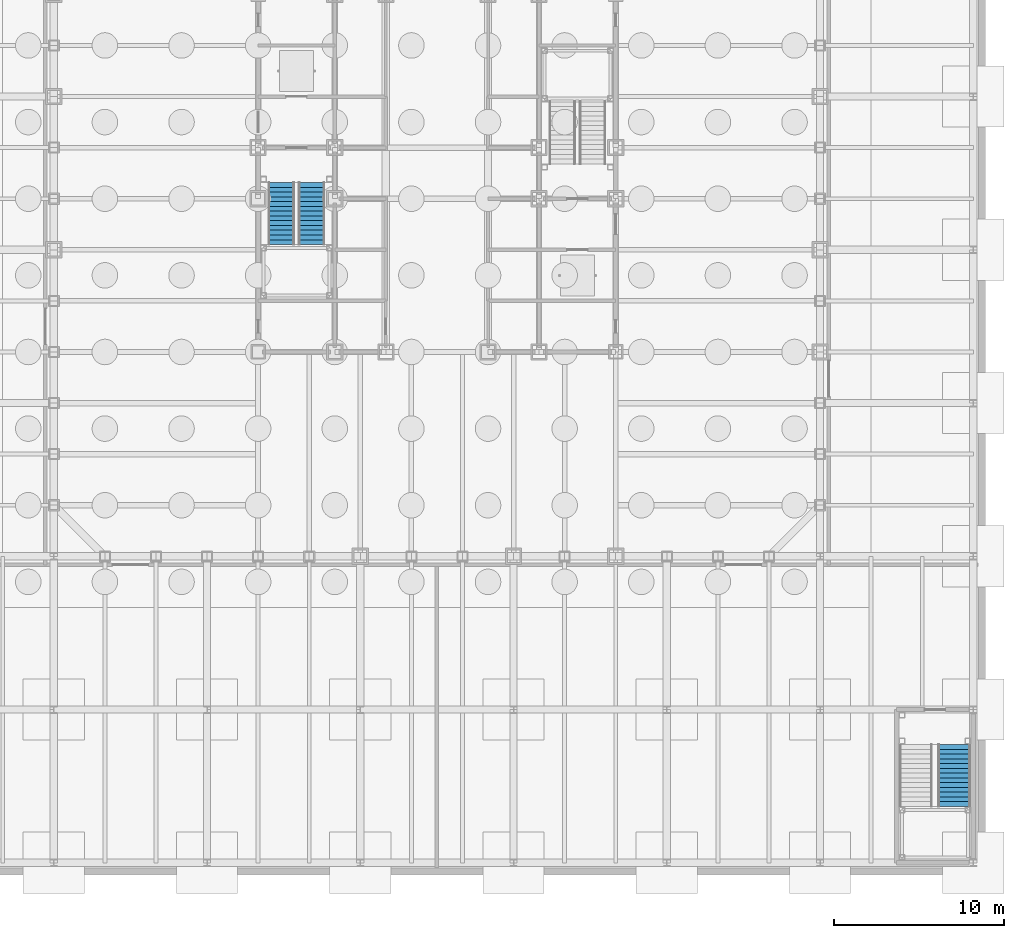
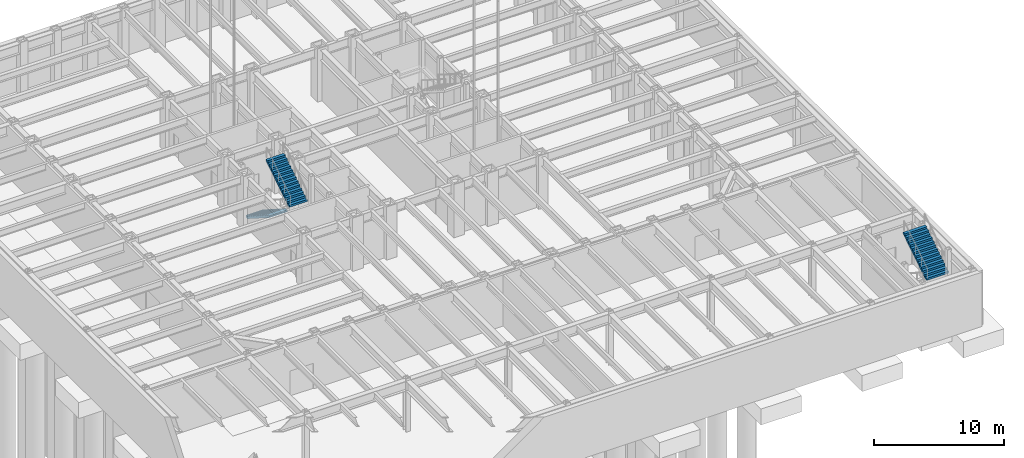
# One storey, part 10 of 18: 3 stair flights, 2 elements without a shape of their own.
"""IFC4 building model written with IfcOpenShell, lengths in metres."""

import ifcopenshell
import ifcopenshell.guid

model = None  # the IFC model being written
_history = None  # IfcOwnerHistory: only IFC2X3 demands one
_inside = {}  # id of a spatial element -> (the spatial element, [elements in it])
_under = {}  # id of a project, library or spatial element -> (it, [spatial elements below it])
_declared = {}  # id of a project -> (the project, [libraries it declares])
_typed = {}  # id of a type object -> (the type object, [elements of that type])
_made_of = {}  # id of a material, layer set ... -> (it, [elements and type objects made of it])


def new_model(schema):
    """Start an empty IFC model of exactly this schema.

    Asked for "IFC4X3", IfcOpenShell would pick the latest addendum, in which some entities
    have other attributes; the version numbers below select the first issue.
    IFC2X3 requires an IfcOwnerHistory on every rooted entity: one is made here for all.
    """
    global model, _history
    if schema == "IFC4X3":
        model = ifcopenshell.file(schema_version=(4, 3, 0, 0))
    else:
        model = ifcopenshell.file(schema=schema)
    _inside.clear()
    _under.clear()
    _declared.clear()
    _typed.clear()
    _made_of.clear()
    _history = None
    if model.schema == "IFC2X3":
        org = make("IfcOrganization", Name="unknown")
        user = make(
            "IfcPersonAndOrganization",
            ThePerson=make("IfcPerson", FamilyName="unknown"),
            TheOrganization=org,
        )
        app = make(
            "IfcApplication",
            ApplicationDeveloper=org,
            Version="unknown",
            ApplicationFullName="unknown",
            ApplicationIdentifier="unknown",
        )
        _history = make(
            "IfcOwnerHistory",
            OwningUser=user,
            OwningApplication=app,
            ChangeAction="ADDED",
            CreationDate=0,
        )
    return model


def make(cls, **values):
    """One entity of the class cls with the attributes given. An attribute that is None is left unset."""
    return model.create_entity(
        cls, **{name: value for name, value in values.items() if value is not None}
    )


def rooted(cls, **values):
    """An entity with a GlobalId (a new one), such as an element, a storey or a relation."""
    return make(cls, GlobalId=ifcopenshell.guid.new(), OwnerHistory=_history, **values)


def si_unit(unit_type, name, prefix=None):
    """IfcSIUnit, for example si_unit("LENGTHUNIT", "METRE", prefix="MILLI")."""
    return make("IfcSIUnit", UnitType=unit_type, Prefix=prefix, Name=name)


def assignment(units):
    """IfcUnitAssignment: the units of a project."""
    return None if units is None else make("IfcUnitAssignment", Units=units)


def point(xyz):
    """IfcCartesianPoint."""
    return None if xyz is None else make("IfcCartesianPoint", Coordinates=xyz)


def direction(xyz):
    """IfcDirection."""
    return None if xyz is None else make("IfcDirection", DirectionRatios=xyz)


def frame(location, z_axis=None, x_axis=None):
    """IfcAxis2Placement3D, a coordinate frame: its origin and axes. An axis left out is left unset."""
    return make(
        "IfcAxis2Placement3D",
        Location=point(location),
        Axis=direction(z_axis),
        RefDirection=direction(x_axis),
    )


def origin():
    """The frame at (0, 0, 0) with its axes left unset."""
    return frame((0.0, 0.0, 0.0))


def place(relative_to, where):
    """IfcLocalPlacement: puts the frame where relative to a parent placement (None: the world)."""
    return make(
        "IfcLocalPlacement", PlacementRelTo=relative_to, RelativePlacement=where
    )


def context(
    kind, dimensions, precision=None, world=None, true_north=None, identifier=None
):
    """IfcGeometricRepresentationContext, for example the 3D "Model" context."""
    return make(
        "IfcGeometricRepresentationContext",
        ContextIdentifier=identifier,
        ContextType=kind,
        CoordinateSpaceDimension=dimensions,
        Precision=precision,
        WorldCoordinateSystem=world,
        TrueNorth=true_north,
    )


def subcontext(parent, identifier, kind, view, scale=None):
    """IfcGeometricRepresentationSubContext, for example "Body" below "Model"."""
    return make(
        "IfcGeometricRepresentationSubContext",
        ContextIdentifier=identifier,
        ContextType=kind,
        ParentContext=parent,
        TargetScale=scale,
        TargetView=view,
    )


def project(units=None, contexts=None):
    """IfcProject with its units and contexts."""
    return rooted(
        "IfcProject",
        Name="project",
        RepresentationContexts=contexts,
        UnitsInContext=assignment(units),
    )


def spatial(cls, under=None, at=None, **own):
    """A site, building, storey or space (cls), placed at a placement, below another one or the project."""
    s = rooted(cls, ObjectPlacement=at, **own)
    if under is not None:
        _under.setdefault(under.id(), (under, []))[1].append(s)
    return s


def faces_of(points, faces, orient=None, outer=None):
    """IfcFace entities. A face is a list of loops; a loop is a list of indices into points, from 0.

    orient and outer hold one flag for each loop. By default every Orientation is true, the
    first loop of a face is its IfcFaceOuterBound and the others are IfcFaceBound.
    """
    made = []
    for i, loops in enumerate(faces):
        bounds = []
        for j, loop in enumerate(loops):
            is_outer = j == 0 if outer is None else outer[i][j]
            bounds.append(
                make(
                    "IfcFaceOuterBound" if is_outer else "IfcFaceBound",
                    Bound=make("IfcPolyLoop", Polygon=[points[k] for k in loop]),
                    Orientation=True if orient is None else orient[i][j],
                )
            )
        made.append(make("IfcFace", Bounds=bounds))
    return made


def faceted_brep(points, faces, orient=None, outer=None, voids=None):
    """IfcFacetedBrep: a solid bounded by flat faces; with voids (closed shells), ...WithVoids."""
    shared = [point(p) for p in points]
    hull = make("IfcClosedShell", CfsFaces=faces_of(shared, faces, orient, outer))
    if voids is None:
        return make("IfcFacetedBrep", Outer=hull)
    return make(
        "IfcFacetedBrepWithVoids",
        Outer=hull,
        Voids=[
            make(cls, CfsFaces=faces_of(shared, fs, o, b)) for cls, fs, o, b in voids
        ],
    )


def shape(context_of_items, identifier, shape_type, items):
    """IfcShapeRepresentation: the items that make up one representation, for example the "Body"."""
    return make(
        "IfcShapeRepresentation",
        ContextOfItems=context_of_items,
        RepresentationIdentifier=identifier,
        RepresentationType=shape_type,
        Items=items,
    )


def material(Name=None, Category=None):
    """IfcMaterial."""
    return make("IfcMaterial", Name=Name, Category=Category)


def made_of(thing, what):
    """Note that an element or type object is made of a material, layer set ...; save() writes the relation."""
    if what is not None:
        _made_of.setdefault(what.id(), (what, []))[1].append(thing)
    return thing


def type_object(cls, material=None, **own):
    """A type object (cls), such as IfcWallType, which elements share."""
    return made_of(rooted(cls, **own), material)


def element(
    cls,
    number,
    at=None,
    inside=None,
    cuts=None,
    type_object=None,
    material=None,
    context=None,
    identifier="Body",
    shape_type=None,
    held_by="IfcProductDefinitionShape",
    body=None,
    shapes=None,
    **own,
):
    """One element of the class cls, such as IfcWall. Its Tag is "e" and its number.

    at: its placement. inside: the storey or other place that contains it. cuts: it is an
    opening in that element (IfcRelVoidsElement). A single representation is given by context,
    identifier, shape_type and body (its items); several are given by shapes. held_by: the class
    of the entity that holds the representations. save() writes the other relations.
    """
    e = rooted(cls, Tag="e%d" % number, ObjectPlacement=at, **own)
    if body is not None:
        shapes = [shape(context, identifier, shape_type, body)]
    if shapes is not None:
        e.Representation = make(held_by, Representations=shapes)
    if inside is not None:
        _inside.setdefault(inside.id(), (inside, []))[1].append(e)
    if cuts is not None:
        rooted(
            "IfcRelVoidsElement", RelatingBuildingElement=cuts, RelatedOpeningElement=e
        )
    if type_object is not None:
        _typed.setdefault(type_object.id(), (type_object, []))[1].append(e)
    return made_of(e, material)


def aggregate(whole, parts):
    """IfcRelAggregates: a whole, such as a stair, and the parts it consists of."""
    return rooted("IfcRelAggregates", RelatingObject=whole, RelatedObjects=parts)


def save(model, path):
    """Write the relations noted so far, then the file.

    IfcRelAggregates (storeys below a building ...), IfcRelContainedInSpatialStructure (elements
    in a storey), IfcRelDefinesByType, IfcRelAssociatesMaterial and IfcRelDeclares: one each for
    every whole, place, type object, material and project.
    """
    for whole, parts in _under.values():
        aggregate(whole, parts)
    for where, things in _inside.values():
        rooted(
            "IfcRelContainedInSpatialStructure",
            RelatedElements=things,
            RelatingStructure=where,
        )
    for kind, things in _typed.values():
        rooted("IfcRelDefinesByType", RelatedObjects=things, RelatingType=kind)
    for what, things in _made_of.values():
        rooted("IfcRelAssociatesMaterial", RelatedObjects=things, RelatingMaterial=what)
    for by, libraries in _declared.values():
        rooted("IfcRelDeclares", RelatingContext=by, RelatedDefinitions=libraries)
    model.write(path)


model = new_model("IFC4")

# Units and contexts
model_context = context("Model", 3, precision=1e-05, world=origin(), true_north=direction((0.0, 1.0)))
body_context = subcontext(model_context, "Body", "Model", "MODEL_VIEW")
ifc_project = project(units=[si_unit("LENGTHUNIT", "METRE"), si_unit("AREAUNIT", "SQUARE_METRE"), si_unit("VOLUMEUNIT", "CUBIC_METRE"), si_unit("PLANEANGLEUNIT", "RADIAN"), si_unit("MASSUNIT", "GRAM", prefix="KILO")], contexts=[model_context])

# Site, building, storey
site_placement = place(None, origin())
site = spatial("IfcSite", under=ifc_project, at=site_placement, CompositionType="ELEMENT")
building_placement = place(site_placement, origin())
building = spatial("IfcBuilding", under=site, at=building_placement, Name="Chuquiago Exchange Tower", CompositionType="ELEMENT")
storey_placement = place(building_placement, frame((0.0, 0.0, -5.0)))
storey = spatial("IfcBuildingStorey", under=building, at=storey_placement, Name="B1", CompositionType="ELEMENT", Elevation=-5.0)

# Stair, stair flights
ifc_material_1 = material(Name="Concrete C30/37, precast", Category="concrete")
stair_type_1 = type_object("IfcStairType", Name="ST1 half-turn stair 5000", PredefinedType="HALF_TURN_STAIR", material=ifc_material_1)
stair_1_placement = place(storey_placement, origin())
stair_1 = element("IfcStair", 1, at=stair_1_placement, inside=storey, type_object=stair_type_1, Name="Stair ST1 B1", PredefinedType="HALF_TURN_STAIR")
ifc_material_2 = material(Name="Concrete C30/37, precast", Category="concrete")
stair_flight_type_1 = type_object("IfcStairFlightType", Name="ST-F flight 1570 for 5000 storey", PredefinedType="STRAIGHT", material=ifc_material_2)
stair_flight_1_placement = place(storey_placement, frame((13.360107421875, 21.949951171875, 0.0), z_axis=(0.0, 0.0, 1.0), x_axis=(0.0, -1.0, 0.0)))
stair_flight_1 = element("IfcStairFlight", 2, at=stair_flight_1_placement, type_object=stair_flight_type_1, Name="ST1 flight 1", NumberOfRisers=14, NumberOfTreads=13, PredefinedType="STRAIGHT", RiserHeight=0.178571429, TreadLength=0.28, context=body_context, shape_type="Brep", body=[
    faceted_brep([(0.0, 0.78515625, 0.0), (0.0, 0.78515625, 0.178466796875), (0.280029296875, 0.78515625, 0.178466796875), (0.280029296875, 0.78515625, 0.357177734375), (0.56005859375, 0.78515625, 0.357177734375), (0.56005859375, 0.78515625, 0.53564453125), (0.840087890625, 0.78515625, 0.53564453125), (0.840087890625, 0.78515625, 0.71435546875), (1.1201171875, 0.78515625, 0.71435546875), (1.1201171875, 0.78515625, 0.892822265625), (1.39990234375, 0.78515625, 0.892822265625), (1.39990234375, 0.78515625, 1.071533203125), (1.679931640625, 0.78515625, 1.071533203125), (1.679931640625, 0.78515625, 1.25), (1.9599609375, 0.78515625, 1.25), (1.9599609375, 0.78515625, 1.428466796875), (2.239990234375, 0.78515625, 1.428466796875), (2.239990234375, 0.78515625, 1.607177734375), (2.52001953125, 0.78515625, 1.607177734375), (2.52001953125, 0.78515625, 1.78564453125), (2.800048828125, 0.78515625, 1.78564453125), (2.800048828125, 0.78515625, 1.96435546875), (3.080078125, 0.78515625, 1.96435546875), (3.080078125, 0.78515625, 2.142822265625), (3.360107421875, 0.78515625, 2.142822265625), (3.360107421875, 0.78515625, 2.321533203125), (3.639892578125, 0.78515625, 2.321533203125), (3.639892578125, 0.78515625, 2.1435546875), (0.27880859375, 0.78515625, 0.0), (0.27880859375, -0.78515625, 0.0), (3.639892578125, -0.78515625, 2.1435546875), (3.639892578125, -0.78515625, 2.321533203125), (3.360107421875, -0.78515625, 2.321533203125), (3.360107421875, -0.78515625, 2.142822265625), (3.080078125, -0.78515625, 2.142822265625), (3.080078125, -0.78515625, 1.96435546875), (2.800048828125, -0.78515625, 1.96435546875), (2.800048828125, -0.78515625, 1.78564453125), (2.52001953125, -0.78515625, 1.78564453125), (2.52001953125, -0.78515625, 1.607177734375), (2.239990234375, -0.78515625, 1.607177734375), (2.239990234375, -0.78515625, 1.428466796875), (1.9599609375, -0.78515625, 1.428466796875), (1.9599609375, -0.78515625, 1.25), (1.679931640625, -0.78515625, 1.25), (1.679931640625, -0.78515625, 1.071533203125), (1.39990234375, -0.78515625, 1.071533203125), (1.39990234375, -0.78515625, 0.892822265625), (1.1201171875, -0.78515625, 0.892822265625), (1.1201171875, -0.78515625, 0.71435546875), (0.840087890625, -0.78515625, 0.71435546875), (0.840087890625, -0.78515625, 0.53564453125), (0.56005859375, -0.78515625, 0.53564453125), (0.56005859375, -0.78515625, 0.357177734375), (0.280029296875, -0.78515625, 0.357177734375), (0.280029296875, -0.78515625, 0.178466796875), (0.0, -0.78515625, 0.178466796875), (0.0, -0.78515625, 0.0), (0.0, 0.392578125, 0.0), (0.0, 0.392578125, 0.178466796875), (0.0, 0.0, 0.0), (0.0, 0.0, 0.178466796875), (0.0, -0.392578125, 0.0), (0.0, -0.392578125, 0.178466796875), (0.280029296875, 0.392578125, 0.178466796875), (0.280029296875, 0.0, 0.178466796875), (0.280029296875, -0.392578125, 0.178466796875), (0.280029296875, 0.392578125, 0.357177734375), (0.280029296875, 0.0, 0.357177734375), (0.280029296875, -0.392578125, 0.357177734375), (0.56005859375, 0.392578125, 0.357177734375), (0.56005859375, 0.0, 0.357177734375), (0.56005859375, -0.392578125, 0.357177734375), (0.56005859375, 0.392578125, 0.53564453125), (0.56005859375, 0.0, 0.53564453125), (0.56005859375, -0.392578125, 0.53564453125), (0.840087890625, 0.392578125, 0.53564453125), (0.840087890625, 0.0, 0.53564453125), (0.840087890625, -0.392578125, 0.53564453125), (0.840087890625, 0.392578125, 0.71435546875), (0.840087890625, 0.0, 0.71435546875), (0.840087890625, -0.392578125, 0.71435546875), (1.1201171875, 0.392578125, 0.71435546875), (1.1201171875, 0.0, 0.71435546875), (1.1201171875, -0.392578125, 0.71435546875), (1.1201171875, 0.392578125, 0.892822265625), (1.1201171875, 0.0, 0.892822265625), (1.1201171875, -0.392578125, 0.892822265625), (1.39990234375, 0.392578125, 0.892822265625), (1.39990234375, 0.0, 0.892822265625), (1.39990234375, -0.392578125, 0.892822265625), (1.39990234375, 0.392578125, 1.071533203125), (1.39990234375, 0.0, 1.071533203125), (1.39990234375, -0.392578125, 1.071533203125), (1.679931640625, 0.392578125, 1.071533203125), (1.679931640625, 0.0, 1.071533203125), (1.679931640625, -0.392578125, 1.071533203125), (1.679931640625, 0.392578125, 1.25), (1.679931640625, 0.0, 1.25), (1.679931640625, -0.392578125, 1.25), (1.9599609375, 0.392578125, 1.25), (1.9599609375, 0.0, 1.25), (1.9599609375, -0.392578125, 1.25), (1.9599609375, 0.392578125, 1.428466796875), (1.9599609375, 0.0, 1.428466796875), (1.9599609375, -0.392578125, 1.428466796875), (2.239990234375, 0.392578125, 1.428466796875), (2.239990234375, 0.0, 1.428466796875), (2.239990234375, -0.392578125, 1.428466796875), (2.239990234375, 0.392578125, 1.607177734375), (2.239990234375, 0.0, 1.607177734375), (2.239990234375, -0.392578125, 1.607177734375), (2.52001953125, 0.392578125, 1.607177734375), (2.52001953125, 0.0, 1.607177734375), (2.52001953125, -0.392578125, 1.607177734375), (2.52001953125, 0.392578125, 1.78564453125), (2.52001953125, 0.0, 1.78564453125), (2.52001953125, -0.392578125, 1.78564453125), (2.800048828125, 0.392578125, 1.78564453125), (2.800048828125, 0.0, 1.78564453125), (2.800048828125, -0.392578125, 1.78564453125), (2.800048828125, 0.392578125, 1.96435546875), (2.800048828125, 0.0, 1.96435546875), (2.800048828125, -0.392578125, 1.96435546875), (3.080078125, 0.392578125, 1.96435546875), (3.080078125, 0.0, 1.96435546875), (3.080078125, -0.392578125, 1.96435546875), (3.080078125, 0.392578125, 2.142822265625), (3.080078125, 0.0, 2.142822265625), (3.080078125, -0.392578125, 2.142822265625), (3.360107421875, 0.392578125, 2.142822265625), (3.360107421875, 0.0, 2.142822265625), (3.360107421875, -0.392578125, 2.142822265625), (3.360107421875, 0.392578125, 2.321533203125), (3.360107421875, 0.0, 2.321533203125), (3.360107421875, -0.392578125, 2.321533203125), (3.639892578125, 0.392578125, 2.321533203125), (3.639892578125, 0.0, 2.321533203125), (3.639892578125, -0.392578125, 2.321533203125), (3.639892578125, 0.392578125, 2.1435546875), (3.639892578125, 0.0, 2.1435546875), (3.639892578125, -0.392578125, 2.1435546875), (0.27880859375, 0.392578125, 0.0), (0.27880859375, 0.0, 0.0), (0.27880859375, -0.392578125, 0.0)], [[[0, 1, 2, 3, 4, 5, 6, 7, 8, 9, 10, 11, 12, 13, 14, 15, 16, 17, 18, 19, 20, 21, 22, 23, 24, 25, 26, 27, 28]], [[29, 30, 31, 32, 33, 34, 35, 36, 37, 38, 39, 40, 41, 42, 43, 44, 45, 46, 47, 48, 49, 50, 51, 52, 53, 54, 55, 56, 57]], [[1, 0, 58, 59]], [[59, 58, 60, 61]], [[61, 60, 62, 63]], [[63, 62, 57, 56]], [[2, 1, 59, 64]], [[64, 59, 61, 65]], [[65, 61, 63, 66]], [[66, 63, 56, 55]], [[3, 2, 64, 67]], [[67, 64, 65, 68]], [[68, 65, 66, 69]], [[69, 66, 55, 54]], [[4, 3, 67, 70]], [[70, 67, 68, 71]], [[71, 68, 69, 72]], [[72, 69, 54, 53]], [[5, 4, 70, 73]], [[73, 70, 71, 74]], [[74, 71, 72, 75]], [[75, 72, 53, 52]], [[6, 5, 73, 76]], [[76, 73, 74, 77]], [[77, 74, 75, 78]], [[78, 75, 52, 51]], [[7, 6, 76, 79]], [[79, 76, 77, 80]], [[80, 77, 78, 81]], [[81, 78, 51, 50]], [[8, 7, 79, 82]], [[82, 79, 80, 83]], [[83, 80, 81, 84]], [[84, 81, 50, 49]], [[9, 8, 82, 85]], [[85, 82, 83, 86]], [[86, 83, 84, 87]], [[87, 84, 49, 48]], [[10, 9, 85, 88]], [[88, 85, 86, 89]], [[89, 86, 87, 90]], [[90, 87, 48, 47]], [[11, 10, 88, 91]], [[91, 88, 89, 92]], [[92, 89, 90, 93]], [[93, 90, 47, 46]], [[12, 11, 91, 94]], [[94, 91, 92, 95]], [[95, 92, 93, 96]], [[96, 93, 46, 45]], [[13, 12, 94, 97]], [[97, 94, 95, 98]], [[98, 95, 96, 99]], [[99, 96, 45, 44]], [[14, 13, 97, 100]], [[100, 97, 98, 101]], [[101, 98, 99, 102]], [[102, 99, 44, 43]], [[15, 14, 100, 103]], [[103, 100, 101, 104]], [[104, 101, 102, 105]], [[105, 102, 43, 42]], [[16, 15, 103, 106]], [[106, 103, 104, 107]], [[107, 104, 105, 108]], [[108, 105, 42, 41]], [[17, 16, 106, 109]], [[109, 106, 107, 110]], [[110, 107, 108, 111]], [[111, 108, 41, 40]], [[18, 17, 109, 112]], [[112, 109, 110, 113]], [[113, 110, 111, 114]], [[114, 111, 40, 39]], [[19, 18, 112, 115]], [[115, 112, 113, 116]], [[116, 113, 114, 117]], [[117, 114, 39, 38]], [[20, 19, 115, 118]], [[118, 115, 116, 119]], [[119, 116, 117, 120]], [[120, 117, 38, 37]], [[21, 20, 118, 121]], [[121, 118, 119, 122]], [[122, 119, 120, 123]], [[123, 120, 37, 36]], [[22, 21, 121, 124]], [[124, 121, 122, 125]], [[125, 122, 123, 126]], [[126, 123, 36, 35]], [[23, 22, 124, 127]], [[127, 124, 125, 128]], [[128, 125, 126, 129]], [[129, 126, 35, 34]], [[24, 23, 127, 130]], [[130, 127, 128, 131]], [[131, 128, 129, 132]], [[132, 129, 34, 33]], [[25, 24, 130, 133]], [[133, 130, 131, 134]], [[134, 131, 132, 135]], [[135, 132, 33, 32]], [[26, 25, 133, 136]], [[136, 133, 134, 137]], [[137, 134, 135, 138]], [[138, 135, 32, 31]], [[27, 26, 136, 139]], [[139, 136, 137, 140]], [[140, 137, 138, 141]], [[141, 138, 31, 30]], [[28, 27, 139, 142]], [[142, 139, 140, 143]], [[143, 140, 141, 144]], [[144, 141, 30, 29]], [[0, 28, 142, 58]], [[58, 142, 143, 60]], [[60, 143, 144, 62]], [[62, 144, 29, 57]]]),
])
stair_flight_2_placement = place(storey_placement, frame((15.139892578125, 18.31005859375, 2.5), z_axis=(0.0, 0.0, 1.0), x_axis=(0.0, 1.0, 0.0)))
stair_flight_2 = element("IfcStairFlight", 3, at=stair_flight_2_placement, type_object=stair_flight_type_1, Name="ST1 flight 2", NumberOfRisers=14, NumberOfTreads=13, PredefinedType="STRAIGHT", RiserHeight=0.178571429, TreadLength=0.28, context=body_context, shape_type="Brep", body=[
    faceted_brep([(0.0, 0.78515625, 0.0), (0.0, 0.78515625, 0.178466796875), (0.280029296875, 0.78515625, 0.178466796875), (0.280029296875, 0.78515625, 0.357177734375), (0.56005859375, 0.78515625, 0.357177734375), (0.56005859375, 0.78515625, 0.53564453125), (0.840087890625, 0.78515625, 0.53564453125), (0.840087890625, 0.78515625, 0.71435546875), (1.1201171875, 0.78515625, 0.71435546875), (1.1201171875, 0.78515625, 0.892822265625), (1.39990234375, 0.78515625, 0.892822265625), (1.39990234375, 0.78515625, 1.071533203125), (1.679931640625, 0.78515625, 1.071533203125), (1.679931640625, 0.78515625, 1.25), (1.9599609375, 0.78515625, 1.25), (1.9599609375, 0.78515625, 1.428466796875), (2.239990234375, 0.78515625, 1.428466796875), (2.239990234375, 0.78515625, 1.607177734375), (2.52001953125, 0.78515625, 1.607177734375), (2.52001953125, 0.78515625, 1.78564453125), (2.800048828125, 0.78515625, 1.78564453125), (2.800048828125, 0.78515625, 1.96435546875), (3.080078125, 0.78515625, 1.96435546875), (3.080078125, 0.78515625, 2.142822265625), (3.360107421875, 0.78515625, 2.142822265625), (3.360107421875, 0.78515625, 2.321533203125), (3.639892578125, 0.78515625, 2.321533203125), (3.639892578125, 0.78515625, 2.1435546875), (0.27880859375, 0.78515625, 0.0), (0.27880859375, -0.78515625, 0.0), (3.639892578125, -0.78515625, 2.1435546875), (3.639892578125, -0.78515625, 2.321533203125), (3.360107421875, -0.78515625, 2.321533203125), (3.360107421875, -0.78515625, 2.142822265625), (3.080078125, -0.78515625, 2.142822265625), (3.080078125, -0.78515625, 1.96435546875), (2.800048828125, -0.78515625, 1.96435546875), (2.800048828125, -0.78515625, 1.78564453125), (2.52001953125, -0.78515625, 1.78564453125), (2.52001953125, -0.78515625, 1.607177734375), (2.239990234375, -0.78515625, 1.607177734375), (2.239990234375, -0.78515625, 1.428466796875), (1.9599609375, -0.78515625, 1.428466796875), (1.9599609375, -0.78515625, 1.25), (1.679931640625, -0.78515625, 1.25), (1.679931640625, -0.78515625, 1.071533203125), (1.39990234375, -0.78515625, 1.071533203125), (1.39990234375, -0.78515625, 0.892822265625), (1.1201171875, -0.78515625, 0.892822265625), (1.1201171875, -0.78515625, 0.71435546875), (0.840087890625, -0.78515625, 0.71435546875), (0.840087890625, -0.78515625, 0.53564453125), (0.56005859375, -0.78515625, 0.53564453125), (0.56005859375, -0.78515625, 0.357177734375), (0.280029296875, -0.78515625, 0.357177734375), (0.280029296875, -0.78515625, 0.178466796875), (0.0, -0.78515625, 0.178466796875), (0.0, -0.78515625, 0.0), (0.0, 0.392578125, 0.0), (0.0, 0.392578125, 0.178466796875), (0.0, 0.0, 0.0), (0.0, 0.0, 0.178466796875), (0.0, -0.392578125, 0.0), (0.0, -0.392578125, 0.178466796875), (0.280029296875, 0.392578125, 0.178466796875), (0.280029296875, 0.0, 0.178466796875), (0.280029296875, -0.392578125, 0.178466796875), (0.280029296875, 0.392578125, 0.357177734375), (0.280029296875, 0.0, 0.357177734375), (0.280029296875, -0.392578125, 0.357177734375), (0.56005859375, 0.392578125, 0.357177734375), (0.56005859375, 0.0, 0.357177734375), (0.56005859375, -0.392578125, 0.357177734375), (0.56005859375, 0.392578125, 0.53564453125), (0.56005859375, 0.0, 0.53564453125), (0.56005859375, -0.392578125, 0.53564453125), (0.840087890625, 0.392578125, 0.53564453125), (0.840087890625, 0.0, 0.53564453125), (0.840087890625, -0.392578125, 0.53564453125), (0.840087890625, 0.392578125, 0.71435546875), (0.840087890625, 0.0, 0.71435546875), (0.840087890625, -0.392578125, 0.71435546875), (1.1201171875, 0.392578125, 0.71435546875), (1.1201171875, 0.0, 0.71435546875), (1.1201171875, -0.392578125, 0.71435546875), (1.1201171875, 0.392578125, 0.892822265625), (1.1201171875, 0.0, 0.892822265625), (1.1201171875, -0.392578125, 0.892822265625), (1.39990234375, 0.392578125, 0.892822265625), (1.39990234375, 0.0, 0.892822265625), (1.39990234375, -0.392578125, 0.892822265625), (1.39990234375, 0.392578125, 1.071533203125), (1.39990234375, 0.0, 1.071533203125), (1.39990234375, -0.392578125, 1.071533203125), (1.679931640625, 0.392578125, 1.071533203125), (1.679931640625, 0.0, 1.071533203125), (1.679931640625, -0.392578125, 1.071533203125), (1.679931640625, 0.392578125, 1.25), (1.679931640625, 0.0, 1.25), (1.679931640625, -0.392578125, 1.25), (1.9599609375, 0.392578125, 1.25), (1.9599609375, 0.0, 1.25), (1.9599609375, -0.392578125, 1.25), (1.9599609375, 0.392578125, 1.428466796875), (1.9599609375, 0.0, 1.428466796875), (1.9599609375, -0.392578125, 1.428466796875), (2.239990234375, 0.392578125, 1.428466796875), (2.239990234375, 0.0, 1.428466796875), (2.239990234375, -0.392578125, 1.428466796875), (2.239990234375, 0.392578125, 1.607177734375), (2.239990234375, 0.0, 1.607177734375), (2.239990234375, -0.392578125, 1.607177734375), (2.52001953125, 0.392578125, 1.607177734375), (2.52001953125, 0.0, 1.607177734375), (2.52001953125, -0.392578125, 1.607177734375), (2.52001953125, 0.392578125, 1.78564453125), (2.52001953125, 0.0, 1.78564453125), (2.52001953125, -0.392578125, 1.78564453125), (2.800048828125, 0.392578125, 1.78564453125), (2.800048828125, 0.0, 1.78564453125), (2.800048828125, -0.392578125, 1.78564453125), (2.800048828125, 0.392578125, 1.96435546875), (2.800048828125, 0.0, 1.96435546875), (2.800048828125, -0.392578125, 1.96435546875), (3.080078125, 0.392578125, 1.96435546875), (3.080078125, 0.0, 1.96435546875), (3.080078125, -0.392578125, 1.96435546875), (3.080078125, 0.392578125, 2.142822265625), (3.080078125, 0.0, 2.142822265625), (3.080078125, -0.392578125, 2.142822265625), (3.360107421875, 0.392578125, 2.142822265625), (3.360107421875, 0.0, 2.142822265625), (3.360107421875, -0.392578125, 2.142822265625), (3.360107421875, 0.392578125, 2.321533203125), (3.360107421875, 0.0, 2.321533203125), (3.360107421875, -0.392578125, 2.321533203125), (3.639892578125, 0.392578125, 2.321533203125), (3.639892578125, 0.0, 2.321533203125), (3.639892578125, -0.392578125, 2.321533203125), (3.639892578125, 0.392578125, 2.1435546875), (3.639892578125, 0.0, 2.1435546875), (3.639892578125, -0.392578125, 2.1435546875), (0.27880859375, 0.392578125, 0.0), (0.27880859375, 0.0, 0.0), (0.27880859375, -0.392578125, 0.0)], [[[0, 1, 2, 3, 4, 5, 6, 7, 8, 9, 10, 11, 12, 13, 14, 15, 16, 17, 18, 19, 20, 21, 22, 23, 24, 25, 26, 27, 28]], [[29, 30, 31, 32, 33, 34, 35, 36, 37, 38, 39, 40, 41, 42, 43, 44, 45, 46, 47, 48, 49, 50, 51, 52, 53, 54, 55, 56, 57]], [[1, 0, 58, 59]], [[59, 58, 60, 61]], [[61, 60, 62, 63]], [[63, 62, 57, 56]], [[2, 1, 59, 64]], [[64, 59, 61, 65]], [[65, 61, 63, 66]], [[66, 63, 56, 55]], [[3, 2, 64, 67]], [[67, 64, 65, 68]], [[68, 65, 66, 69]], [[69, 66, 55, 54]], [[4, 3, 67, 70]], [[70, 67, 68, 71]], [[71, 68, 69, 72]], [[72, 69, 54, 53]], [[5, 4, 70, 73]], [[73, 70, 71, 74]], [[74, 71, 72, 75]], [[75, 72, 53, 52]], [[6, 5, 73, 76]], [[76, 73, 74, 77]], [[77, 74, 75, 78]], [[78, 75, 52, 51]], [[7, 6, 76, 79]], [[79, 76, 77, 80]], [[80, 77, 78, 81]], [[81, 78, 51, 50]], [[8, 7, 79, 82]], [[82, 79, 80, 83]], [[83, 80, 81, 84]], [[84, 81, 50, 49]], [[9, 8, 82, 85]], [[85, 82, 83, 86]], [[86, 83, 84, 87]], [[87, 84, 49, 48]], [[10, 9, 85, 88]], [[88, 85, 86, 89]], [[89, 86, 87, 90]], [[90, 87, 48, 47]], [[11, 10, 88, 91]], [[91, 88, 89, 92]], [[92, 89, 90, 93]], [[93, 90, 47, 46]], [[12, 11, 91, 94]], [[94, 91, 92, 95]], [[95, 92, 93, 96]], [[96, 93, 46, 45]], [[13, 12, 94, 97]], [[97, 94, 95, 98]], [[98, 95, 96, 99]], [[99, 96, 45, 44]], [[14, 13, 97, 100]], [[100, 97, 98, 101]], [[101, 98, 99, 102]], [[102, 99, 44, 43]], [[15, 14, 100, 103]], [[103, 100, 101, 104]], [[104, 101, 102, 105]], [[105, 102, 43, 42]], [[16, 15, 103, 106]], [[106, 103, 104, 107]], [[107, 104, 105, 108]], [[108, 105, 42, 41]], [[17, 16, 106, 109]], [[109, 106, 107, 110]], [[110, 107, 108, 111]], [[111, 108, 41, 40]], [[18, 17, 109, 112]], [[112, 109, 110, 113]], [[113, 110, 111, 114]], [[114, 111, 40, 39]], [[19, 18, 112, 115]], [[115, 112, 113, 116]], [[116, 113, 114, 117]], [[117, 114, 39, 38]], [[20, 19, 115, 118]], [[118, 115, 116, 119]], [[119, 116, 117, 120]], [[120, 117, 38, 37]], [[21, 20, 118, 121]], [[121, 118, 119, 122]], [[122, 119, 120, 123]], [[123, 120, 37, 36]], [[22, 21, 121, 124]], [[124, 121, 122, 125]], [[125, 122, 123, 126]], [[126, 123, 36, 35]], [[23, 22, 124, 127]], [[127, 124, 125, 128]], [[128, 125, 126, 129]], [[129, 126, 35, 34]], [[24, 23, 127, 130]], [[130, 127, 128, 131]], [[131, 128, 129, 132]], [[132, 129, 34, 33]], [[25, 24, 130, 133]], [[133, 130, 131, 134]], [[134, 131, 132, 135]], [[135, 132, 33, 32]], [[26, 25, 133, 136]], [[136, 133, 134, 137]], [[137, 134, 135, 138]], [[138, 135, 32, 31]], [[27, 26, 136, 139]], [[139, 136, 137, 140]], [[140, 137, 138, 141]], [[141, 138, 31, 30]], [[28, 27, 139, 142]], [[142, 139, 140, 143]], [[143, 140, 141, 144]], [[144, 141, 30, 29]], [[0, 28, 142, 58]], [[58, 142, 143, 60]], [[60, 143, 144, 62]], [[62, 144, 29, 57]]]),
])
aggregate(stair_1, [stair_flight_1, stair_flight_2])

# Stair, stair flight
ifc_material_3 = material(Name="Concrete C30/37, precast", Category="concrete")
stair_type_2 = type_object("IfcStairType", Name="PS2 half-turn stair 5000", PredefinedType="HALF_TURN_STAIR", material=ifc_material_3)
stair_2_placement = place(storey_placement, origin())
stair_2 = element("IfcStair", 4, at=stair_2_placement, inside=storey, type_object=stair_type_2, Name="Stair PS2 B1", PredefinedType="HALF_TURN_STAIR")
ifc_material_4 = material(Name="Concrete C30/37, precast", Category="concrete")
stair_flight_type_2 = type_object("IfcStairFlightType", Name="ST-F flight 1950 for 5000 storey", PredefinedType="STRAIGHT", material=ifc_material_4)
stair_flight_3_placement = place(storey_placement, frame((52.875, -14.68994140625, 2.5), z_axis=(0.0, 0.0, 1.0), x_axis=(0.0, 1.0, 0.0)))
stair_flight_3 = element("IfcStairFlight", 5, at=stair_flight_3_placement, type_object=stair_flight_type_2, Name="PS2 flight 2", NumberOfRisers=14, NumberOfTreads=13, PredefinedType="STRAIGHT", RiserHeight=0.178571429, TreadLength=0.28, context=body_context, shape_type="Brep", body=[
    faceted_brep([(0.0, 0.97509765625, 0.0), (0.0, 0.97509765625, 0.178466796875), (0.280029296875, 0.97509765625, 0.178466796875), (0.280029296875, 0.97509765625, 0.357177734375), (0.56005859375, 0.97509765625, 0.357177734375), (0.56005859375, 0.97509765625, 0.53564453125), (0.840087890625, 0.97509765625, 0.53564453125), (0.840087890625, 0.97509765625, 0.71435546875), (1.1201171875, 0.97509765625, 0.71435546875), (1.1201171875, 0.97509765625, 0.892822265625), (1.39990234375, 0.97509765625, 0.892822265625), (1.39990234375, 0.97509765625, 1.071533203125), (1.679931640625, 0.97509765625, 1.071533203125), (1.679931640625, 0.97509765625, 1.25), (1.9599609375, 0.97509765625, 1.25), (1.9599609375, 0.97509765625, 1.428466796875), (2.239990234375, 0.97509765625, 1.428466796875), (2.239990234375, 0.97509765625, 1.607177734375), (2.52001953125, 0.97509765625, 1.607177734375), (2.52001953125, 0.97509765625, 1.78564453125), (2.800048828125, 0.97509765625, 1.78564453125), (2.800048828125, 0.97509765625, 1.96435546875), (3.080078125, 0.97509765625, 1.96435546875), (3.080078125, 0.97509765625, 2.142822265625), (3.360107421875, 0.97509765625, 2.142822265625), (3.360107421875, 0.97509765625, 2.321533203125), (3.639892578125, 0.97509765625, 2.321533203125), (3.639892578125, 0.97509765625, 2.1435546875), (0.27880859375, 0.97509765625, 0.0), (0.27880859375, -0.97509765625, 0.0), (3.639892578125, -0.97509765625, 2.1435546875), (3.639892578125, -0.97509765625, 2.321533203125), (3.360107421875, -0.97509765625, 2.321533203125), (3.360107421875, -0.97509765625, 2.142822265625), (3.080078125, -0.97509765625, 2.142822265625), (3.080078125, -0.97509765625, 1.96435546875), (2.800048828125, -0.97509765625, 1.96435546875), (2.800048828125, -0.97509765625, 1.78564453125), (2.52001953125, -0.97509765625, 1.78564453125), (2.52001953125, -0.97509765625, 1.607177734375), (2.239990234375, -0.97509765625, 1.607177734375), (2.239990234375, -0.97509765625, 1.428466796875), (1.9599609375, -0.97509765625, 1.428466796875), (1.9599609375, -0.97509765625, 1.25), (1.679931640625, -0.97509765625, 1.25), (1.679931640625, -0.97509765625, 1.071533203125), (1.39990234375, -0.97509765625, 1.071533203125), (1.39990234375, -0.97509765625, 0.892822265625), (1.1201171875, -0.97509765625, 0.892822265625), (1.1201171875, -0.97509765625, 0.71435546875), (0.840087890625, -0.97509765625, 0.71435546875), (0.840087890625, -0.97509765625, 0.53564453125), (0.56005859375, -0.97509765625, 0.53564453125), (0.56005859375, -0.97509765625, 0.357177734375), (0.280029296875, -0.97509765625, 0.357177734375), (0.280029296875, -0.97509765625, 0.178466796875), (0.0, -0.97509765625, 0.178466796875), (0.0, -0.97509765625, 0.0), (0.0, 0.487548828125, 0.0), (0.0, 0.487548828125, 0.178466796875), (0.0, 0.0, 0.0), (0.0, 0.0, 0.178466796875), (0.0, -0.487548828125, 0.0), (0.0, -0.487548828125, 0.178466796875), (0.280029296875, 0.487548828125, 0.178466796875), (0.280029296875, 0.0, 0.178466796875), (0.280029296875, -0.487548828125, 0.178466796875), (0.280029296875, 0.487548828125, 0.357177734375), (0.280029296875, 0.0, 0.357177734375), (0.280029296875, -0.487548828125, 0.357177734375), (0.56005859375, 0.487548828125, 0.357177734375), (0.56005859375, 0.0, 0.357177734375), (0.56005859375, -0.487548828125, 0.357177734375), (0.56005859375, 0.487548828125, 0.53564453125), (0.56005859375, 0.0, 0.53564453125), (0.56005859375, -0.487548828125, 0.53564453125), (0.840087890625, 0.487548828125, 0.53564453125), (0.840087890625, 0.0, 0.53564453125), (0.840087890625, -0.487548828125, 0.53564453125), (0.840087890625, 0.487548828125, 0.71435546875), (0.840087890625, 0.0, 0.71435546875), (0.840087890625, -0.487548828125, 0.71435546875), (1.1201171875, 0.487548828125, 0.71435546875), (1.1201171875, 0.0, 0.71435546875), (1.1201171875, -0.487548828125, 0.71435546875), (1.1201171875, 0.487548828125, 0.892822265625), (1.1201171875, 0.0, 0.892822265625), (1.1201171875, -0.487548828125, 0.892822265625), (1.39990234375, 0.487548828125, 0.892822265625), (1.39990234375, 0.0, 0.892822265625), (1.39990234375, -0.487548828125, 0.892822265625), (1.39990234375, 0.487548828125, 1.071533203125), (1.39990234375, 0.0, 1.071533203125), (1.39990234375, -0.487548828125, 1.071533203125), (1.679931640625, 0.487548828125, 1.071533203125), (1.679931640625, 0.0, 1.071533203125), (1.679931640625, -0.487548828125, 1.071533203125), (1.679931640625, 0.487548828125, 1.25), (1.679931640625, 0.0, 1.25), (1.679931640625, -0.487548828125, 1.25), (1.9599609375, 0.487548828125, 1.25), (1.9599609375, 0.0, 1.25), (1.9599609375, -0.487548828125, 1.25), (1.9599609375, 0.487548828125, 1.428466796875), (1.9599609375, 0.0, 1.428466796875), (1.9599609375, -0.487548828125, 1.428466796875), (2.239990234375, 0.487548828125, 1.428466796875), (2.239990234375, 0.0, 1.428466796875), (2.239990234375, -0.487548828125, 1.428466796875), (2.239990234375, 0.487548828125, 1.607177734375), (2.239990234375, 0.0, 1.607177734375), (2.239990234375, -0.487548828125, 1.607177734375), (2.52001953125, 0.487548828125, 1.607177734375), (2.52001953125, 0.0, 1.607177734375), (2.52001953125, -0.487548828125, 1.607177734375), (2.52001953125, 0.487548828125, 1.78564453125), (2.52001953125, 0.0, 1.78564453125), (2.52001953125, -0.487548828125, 1.78564453125), (2.800048828125, 0.487548828125, 1.78564453125), (2.800048828125, 0.0, 1.78564453125), (2.800048828125, -0.487548828125, 1.78564453125), (2.800048828125, 0.487548828125, 1.96435546875), (2.800048828125, 0.0, 1.96435546875), (2.800048828125, -0.487548828125, 1.96435546875), (3.080078125, 0.487548828125, 1.96435546875), (3.080078125, 0.0, 1.96435546875), (3.080078125, -0.487548828125, 1.96435546875), (3.080078125, 0.487548828125, 2.142822265625), (3.080078125, 0.0, 2.142822265625), (3.080078125, -0.487548828125, 2.142822265625), (3.360107421875, 0.487548828125, 2.142822265625), (3.360107421875, 0.0, 2.142822265625), (3.360107421875, -0.487548828125, 2.142822265625), (3.360107421875, 0.487548828125, 2.321533203125), (3.360107421875, 0.0, 2.321533203125), (3.360107421875, -0.487548828125, 2.321533203125), (3.639892578125, 0.487548828125, 2.321533203125), (3.639892578125, 0.0, 2.321533203125), (3.639892578125, -0.487548828125, 2.321533203125), (3.639892578125, 0.487548828125, 2.1435546875), (3.639892578125, 0.0, 2.1435546875), (3.639892578125, -0.487548828125, 2.1435546875), (0.27880859375, 0.487548828125, 0.0), (0.27880859375, 0.0, 0.0), (0.27880859375, -0.487548828125, 0.0)], [[[0, 1, 2, 3, 4, 5, 6, 7, 8, 9, 10, 11, 12, 13, 14, 15, 16, 17, 18, 19, 20, 21, 22, 23, 24, 25, 26, 27, 28]], [[29, 30, 31, 32, 33, 34, 35, 36, 37, 38, 39, 40, 41, 42, 43, 44, 45, 46, 47, 48, 49, 50, 51, 52, 53, 54, 55, 56, 57]], [[1, 0, 58, 59]], [[59, 58, 60, 61]], [[61, 60, 62, 63]], [[63, 62, 57, 56]], [[2, 1, 59, 64]], [[64, 59, 61, 65]], [[65, 61, 63, 66]], [[66, 63, 56, 55]], [[3, 2, 64, 67]], [[67, 64, 65, 68]], [[68, 65, 66, 69]], [[69, 66, 55, 54]], [[4, 3, 67, 70]], [[70, 67, 68, 71]], [[71, 68, 69, 72]], [[72, 69, 54, 53]], [[5, 4, 70, 73]], [[73, 70, 71, 74]], [[74, 71, 72, 75]], [[75, 72, 53, 52]], [[6, 5, 73, 76]], [[76, 73, 74, 77]], [[77, 74, 75, 78]], [[78, 75, 52, 51]], [[7, 6, 76, 79]], [[79, 76, 77, 80]], [[80, 77, 78, 81]], [[81, 78, 51, 50]], [[8, 7, 79, 82]], [[82, 79, 80, 83]], [[83, 80, 81, 84]], [[84, 81, 50, 49]], [[9, 8, 82, 85]], [[85, 82, 83, 86]], [[86, 83, 84, 87]], [[87, 84, 49, 48]], [[10, 9, 85, 88]], [[88, 85, 86, 89]], [[89, 86, 87, 90]], [[90, 87, 48, 47]], [[11, 10, 88, 91]], [[91, 88, 89, 92]], [[92, 89, 90, 93]], [[93, 90, 47, 46]], [[12, 11, 91, 94]], [[94, 91, 92, 95]], [[95, 92, 93, 96]], [[96, 93, 46, 45]], [[13, 12, 94, 97]], [[97, 94, 95, 98]], [[98, 95, 96, 99]], [[99, 96, 45, 44]], [[14, 13, 97, 100]], [[100, 97, 98, 101]], [[101, 98, 99, 102]], [[102, 99, 44, 43]], [[15, 14, 100, 103]], [[103, 100, 101, 104]], [[104, 101, 102, 105]], [[105, 102, 43, 42]], [[16, 15, 103, 106]], [[106, 103, 104, 107]], [[107, 104, 105, 108]], [[108, 105, 42, 41]], [[17, 16, 106, 109]], [[109, 106, 107, 110]], [[110, 107, 108, 111]], [[111, 108, 41, 40]], [[18, 17, 109, 112]], [[112, 109, 110, 113]], [[113, 110, 111, 114]], [[114, 111, 40, 39]], [[19, 18, 112, 115]], [[115, 112, 113, 116]], [[116, 113, 114, 117]], [[117, 114, 39, 38]], [[20, 19, 115, 118]], [[118, 115, 116, 119]], [[119, 116, 117, 120]], [[120, 117, 38, 37]], [[21, 20, 118, 121]], [[121, 118, 119, 122]], [[122, 119, 120, 123]], [[123, 120, 37, 36]], [[22, 21, 121, 124]], [[124, 121, 122, 125]], [[125, 122, 123, 126]], [[126, 123, 36, 35]], [[23, 22, 124, 127]], [[127, 124, 125, 128]], [[128, 125, 126, 129]], [[129, 126, 35, 34]], [[24, 23, 127, 130]], [[130, 127, 128, 131]], [[131, 128, 129, 132]], [[132, 129, 34, 33]], [[25, 24, 130, 133]], [[133, 130, 131, 134]], [[134, 131, 132, 135]], [[135, 132, 33, 32]], [[26, 25, 133, 136]], [[136, 133, 134, 137]], [[137, 134, 135, 138]], [[138, 135, 32, 31]], [[27, 26, 136, 139]], [[139, 136, 137, 140]], [[140, 137, 138, 141]], [[141, 138, 31, 30]], [[28, 27, 139, 142]], [[142, 139, 140, 143]], [[143, 140, 141, 144]], [[144, 141, 30, 29]], [[0, 28, 142, 58]], [[58, 142, 143, 60]], [[60, 143, 144, 62]], [[62, 144, 29, 57]]]),
])
aggregate(stair_2, [stair_flight_3])

save(model, "model.ifc")
